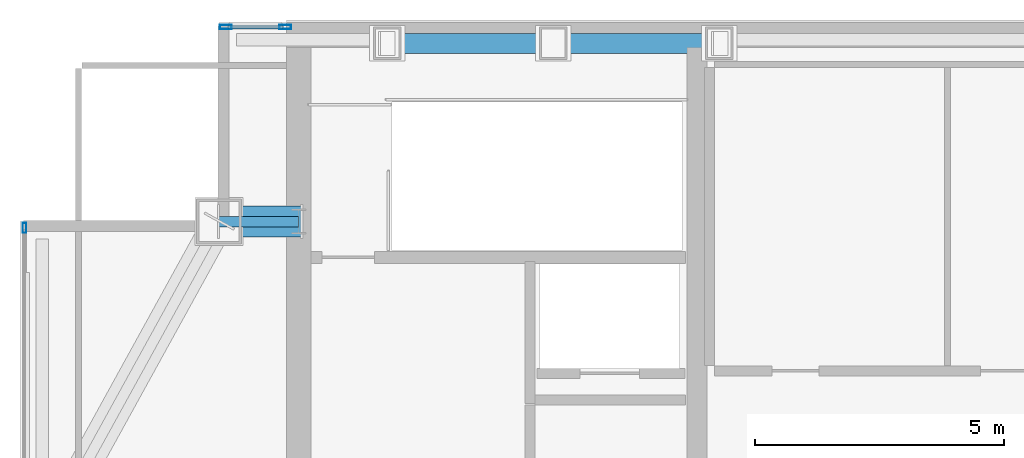
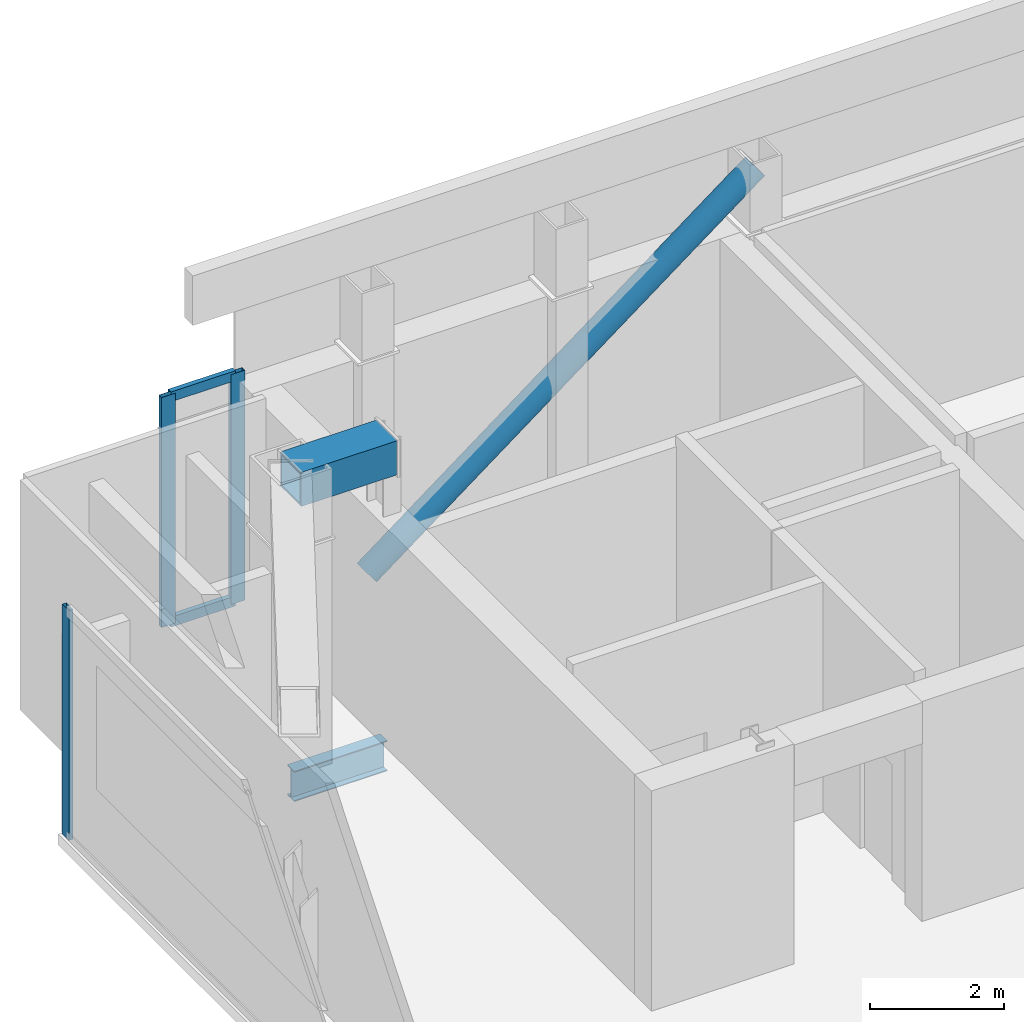
# One storey, part 16 of 24: 6 members, 2 beams, 2 elements without a shape of their own.
"""IFC4 building model written with IfcOpenShell, lengths in metres."""

from ifc_helpers import new_model, si_unit, direction, frame, origin, origin_2d, place, context, subcontext, project, spatial, hollow_rectangle, hollow_circle, i_section, extrude, material, material_profile, profile_set, type_object, element, aggregate, save


model = new_model("IFC4")

# Units and contexts
model_context = context("Model", 3, precision=1e-05, world=origin(), true_north=direction((0.0, 1.0)))
body_context = subcontext(model_context, "Body", "Model", "MODEL_VIEW")
ifc_project = project(units=[si_unit("LENGTHUNIT", "METRE"), si_unit("AREAUNIT", "SQUARE_METRE"), si_unit("VOLUMEUNIT", "CUBIC_METRE"), si_unit("PLANEANGLEUNIT", "RADIAN"), si_unit("MASSUNIT", "GRAM", prefix="KILO")], contexts=[model_context])

# Site, building, storey
site_placement = place(None, origin())
site = spatial("IfcSite", under=ifc_project, at=site_placement, CompositionType="ELEMENT")
building_placement = place(site_placement, origin())
building = spatial("IfcBuilding", under=site, at=building_placement, Name="Khoronbel Lancet Exchange", CompositionType="ELEMENT")
storey_placement = place(building_placement, frame((0.0, 0.0, 378.60009765625)))
storey = spatial("IfcBuildingStorey", under=building, at=storey_placement, Name="L96", CompositionType="ELEMENT", Elevation=378.60009765625)

# Beams
ifc_material_1 = material(Name="Steel S355", Category="steel")
ifc_material_profile_1 = material_profile(ifc_material_1, i_section(OverallWidth=0.2099609375, OverallDepth=0.550048828125, WebThickness=0.010986328125, FlangeThickness=0.01708984375, at=origin_2d()), Name="IPE 550")
ifc_profile_set_1 = profile_set([ifc_material_profile_1], Name="Steel S355")
beam_type_1 = type_object("IfcBeamType", Name="BM-BSP3", PredefinedType="SPANDREL", material=ifc_profile_set_1)
beam_1_placement = place(storey_placement, frame((14.85009765625, 49.699951171875, -0.47509765625), z_axis=(1.0, 0.0, 0.0), x_axis=(0.0, 1.0, 0.0)))
element("IfcBeam", 1, at=beam_1_placement, inside=storey, type_object=beam_type_1, Name="Level L96 north flank tie spandrel SP20", PredefinedType="SPANDREL", context=body_context, shape_type="SweptSolid", body=[
    extrude(i_section(OverallWidth=0.2099609375, OverallDepth=0.550048828125, WebThickness=0.010986328125, FlangeThickness=0.01708984375, at=origin_2d()), origin(), (0.0, 0.0, 1.0), 1.599853515625),
])
ifc_material_profile_2 = material_profile(ifc_material_1, hollow_rectangle(XDim=0.6201171875, YDim=0.6201171875, WallThickness=0.0400390625, at=origin_2d()), Name="BOX 620x620x40")
ifc_profile_set_2 = profile_set([ifc_material_profile_2], Name="Steel S355")
beam_type_2 = type_object("IfcBeamType", Name="BM-RB1", PredefinedType="USERDEFINED", material=ifc_profile_set_2)
beam_2_placement = place(storey_placement, frame((16.5, 49.699951171875, 5.0498046875), z_axis=(-1.0, 0.0, 0.0), x_axis=(0.0, -1.0, 0.0)))
element("IfcBeam", 2, at=beam_2_placement, inside=storey, type_object=beam_type_2, Name="CROWN FRAME top ring cap beam RB15", ObjectType="RING BEAM", PredefinedType="USERDEFINED", context=body_context, shape_type="SweptSolid", body=[
    extrude(hollow_rectangle(XDim=0.6201171875, YDim=0.6201171875, WallThickness=0.0400390625, at=origin_2d()), origin(), (0.0, 0.0, 1.0), 1.64990234375),
])

# Curtain wall, members
ifc_material_2 = material(Name="Low-E Solar Control Insulating Glass", Category="glass")
curtain_wall_type = type_object("IfcCurtainWallType", Name="CW-6", PredefinedType="NOTDEFINED", material=ifc_material_2)
curtain_wall_1_placement = place(storey_placement, origin())
curtain_wall_1 = element("IfcCurtainWall", 3, at=curtain_wall_1_placement, inside=storey, type_object=curtain_wall_type, Name="Unitised curtain wall CW-L96-NWFLK", PredefinedType="NOTDEFINED")
ifc_material_3 = material(Name="Bronze-Anodised Aluminium 6063-T6", Category="aluminium")
ifc_material_profile_3 = material_profile(ifc_material_3, hollow_rectangle(XDim=0.0849609375, YDim=0.239990234375, WallThickness=0.006103515625, at=origin_2d()), Name="ALU MULLION 85x240")
ifc_profile_set_3 = profile_set([ifc_material_profile_3], Name="Bronze-Anodised Aluminium 6063-T6")
member_type_1 = type_object("IfcMemberType", Name="MEM-CWM1", PredefinedType="MULLION", material=ifc_profile_set_3)
member_1_placement = place(storey_placement, frame((16.177490234375, 53.610107421875, 0.0), z_axis=(0.0, 0.0, 1.0), x_axis=(0.0, -1.0, 0.0)))
member_1 = element("IfcMember", 4, at=member_1_placement, type_object=member_type_1, Name="CW6 mullion 1", PredefinedType="MULLION", context=body_context, shape_type="SweptSolid", body=[
    extrude(hollow_rectangle(XDim=0.0849609375, YDim=0.239990234375, WallThickness=0.006103515625, at=origin_2d()), origin(), (0.0, 0.0, 1.0), 4.179931640625),
])
member_2_placement = place(storey_placement, frame((14.982421875, 53.610107421875, 0.0), z_axis=(0.0, 0.0, 1.0), x_axis=(0.0, -1.0, 0.0)))
member_2 = element("IfcMember", 5, at=member_2_placement, type_object=member_type_1, Name="CW6 mullion 2", PredefinedType="MULLION", context=body_context, shape_type="SweptSolid", body=[
    extrude(hollow_rectangle(XDim=0.0849609375, YDim=0.239990234375, WallThickness=0.006103515625, at=origin_2d()), origin(), (0.0, 0.0, 1.0), 4.179931640625),
])

# Curtain wall, member
curtain_wall_2_placement = place(storey_placement, origin())
curtain_wall_2 = element("IfcCurtainWall", 6, at=curtain_wall_2_placement, inside=storey, type_object=curtain_wall_type, Name="Unitised curtain wall CW-L96-E03", PredefinedType="NOTDEFINED")
ifc_material_profile_4 = material_profile(ifc_material_3, hollow_rectangle(XDim=0.074951171875, YDim=0.199951171875, WallThickness=0.0048828125, at=origin_2d()), Name="ALU MULLION 75x200")
ifc_profile_set_4 = profile_set([ifc_material_profile_4], Name="Bronze-Anodised Aluminium 6063-T6")
member_type_2 = type_object("IfcMemberType", Name="MEM-CWM2", PredefinedType="MULLION", material=ifc_profile_set_4)
member_3_placement = place(storey_placement, frame((10.93994140625, 49.572509765625, 0.0), z_axis=(0.0, 0.0, 1.0), x_axis=(-1.0, 0.0, 0.0)))
member_3 = element("IfcMember", 7, at=member_3_placement, type_object=member_type_2, Name="CW6 mullion 3", PredefinedType="MULLION", context=body_context, shape_type="SweptSolid", body=[
    extrude(hollow_rectangle(XDim=0.074951171875, YDim=0.199951171875, WallThickness=0.0048828125, at=origin_2d()), origin(), (0.0, 0.0, 1.0), 4.179931640625),
])
aggregate(curtain_wall_2, [member_3])

# Member
ifc_material_profile_5 = material_profile(ifc_material_3, hollow_rectangle(XDim=0.0849609375, YDim=0.179931640625, WallThickness=0.0048828125, at=origin_2d()), Name="ALU TRANSOM 85x180")
ifc_profile_set_5 = profile_set([ifc_material_profile_5], Name="Bronze-Anodised Aluminium 6063-T6")
member_type_3 = type_object("IfcMemberType", Name="MEM-CWT1", PredefinedType="USERDEFINED", material=ifc_profile_set_5)
member_4_placement = place(storey_placement, frame((16.135009765625, 53.610107421875, 0.04248046875), z_axis=(-1.0, 0.0, 0.0), x_axis=(0.0, -1.0, 0.0)))
member_4 = element("IfcMember", 8, at=member_4_placement, type_object=member_type_3, Name="CW6 transom 1.1", ObjectType="TRANSOM", PredefinedType="USERDEFINED", context=body_context, shape_type="SweptSolid", body=[
    extrude(hollow_rectangle(XDim=0.0849609375, YDim=0.179931640625, WallThickness=0.0048828125, at=origin_2d()), origin(), (0.0, 0.0, 1.0), 1.110107421875),
])

member_5_placement = place(storey_placement, frame((16.135009765625, 53.610107421875, 4.137451171875), z_axis=(-1.0, 0.0, 0.0), x_axis=(0.0, -1.0, 0.0)))
member_5 = element("IfcMember", 9, at=member_5_placement, type_object=member_type_3, Name="CW6 transom 1.2", ObjectType="TRANSOM", PredefinedType="USERDEFINED", context=body_context, shape_type="SweptSolid", body=[
    extrude(hollow_rectangle(XDim=0.0849609375, YDim=0.179931640625, WallThickness=0.0048828125, at=origin_2d()), origin(), (0.0, 0.0, 1.0), 1.110107421875),
])

aggregate(curtain_wall_1, [member_1, member_2, member_4, member_5])

ifc_material_profile_6 = material_profile(ifc_material_1, hollow_circle(Radius=0.203125, WallThickness=0.02001953125, at=origin_2d()), Name="CHS 406.4x20")
ifc_profile_set_6 = profile_set([ifc_material_profile_6], Name="Steel S355")
member_type_4 = type_object("IfcMemberType", Name="MEM-STR2", PredefinedType="STRUT", material=ifc_profile_set_6)
member_6_placement = place(storey_placement, frame((18.22509765625, 53.280029296875, 0.0), z_axis=(0.797486800518, 0.0, 0.603336392901), x_axis=(0.0, 1.0, 0.0)))
element("IfcMember", 10, at=member_6_placement, inside=storey, type_object=member_type_4, Name="CROWN FRAME diagonal ring brace L96-N1", PredefinedType="STRUT", context=body_context, shape_type="SweptSolid", body=[
    extrude(hollow_circle(Radius=0.203125, WallThickness=0.02001953125, at=origin_2d()), origin(), (0.0, 0.0, 1.0), 8.369873046875),
])

save(model, "model.ifc")
